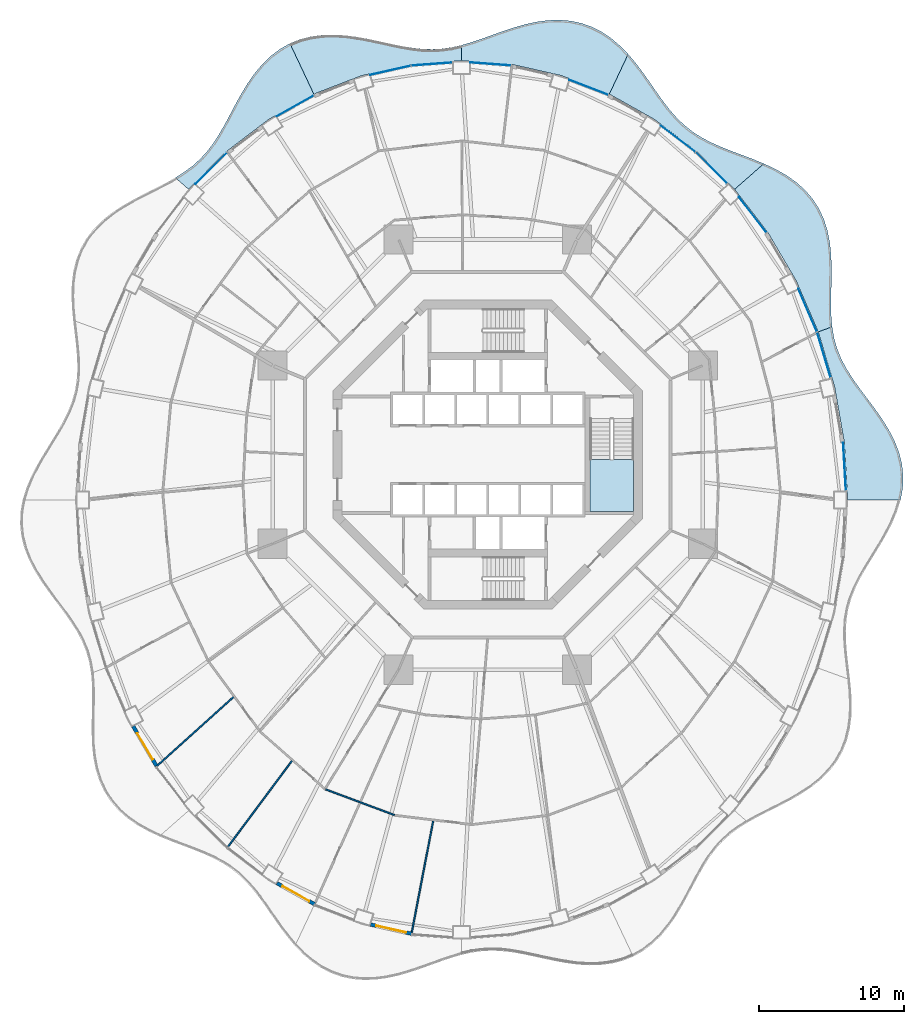
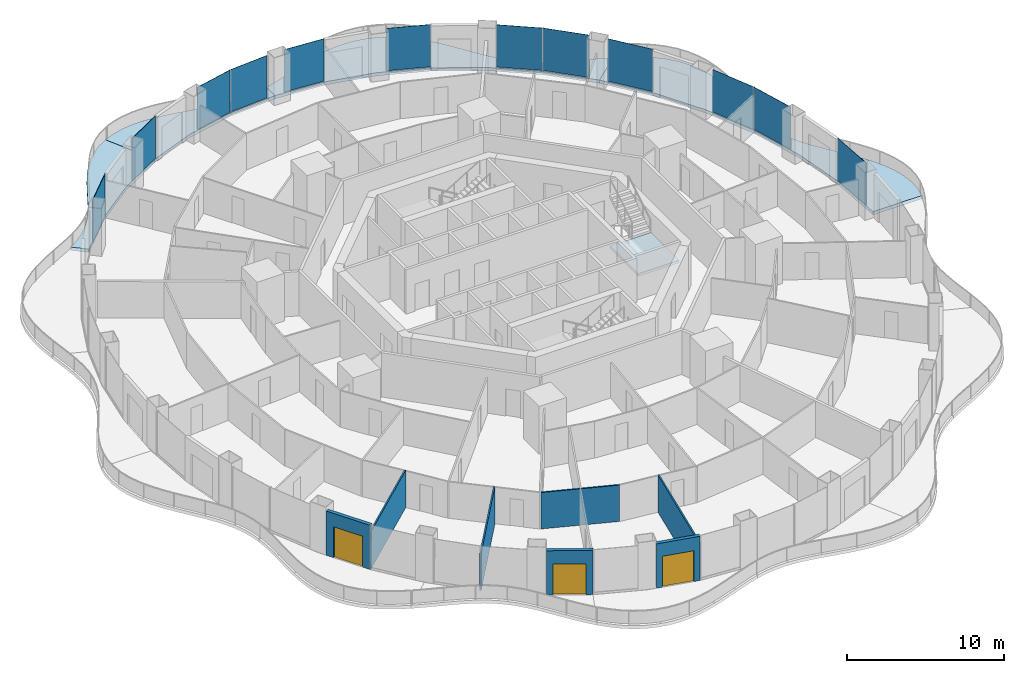
# One storey, part 11 of 20: 12 plates, 7 slabs, 7 walls, 3 doors, 3 openings, 13 elements without a shape of their own.
"""IFC4 building model written with IfcOpenShell, lengths in metres."""

from ifc_helpers import new_model, si_unit, direction, frame, frame_2d, origin, origin_2d, place, context, subcontext, project, spatial, polyline, rectangle, outline, extrude, material, layer, layer_set, type_object, element, fill, aggregate, save


model = new_model("IFC4")

# Units and contexts
model_context = context("Model", 3, precision=1e-05, world=origin(), true_north=direction((0.0, 1.0)))
body_context = subcontext(model_context, "Body", "Model", "MODEL_VIEW")
ifc_project = project(units=[si_unit("LENGTHUNIT", "METRE"), si_unit("AREAUNIT", "SQUARE_METRE"), si_unit("VOLUMEUNIT", "CUBIC_METRE"), si_unit("PLANEANGLEUNIT", "RADIAN"), si_unit("MASSUNIT", "GRAM", prefix="KILO")], contexts=[model_context])

# Site, building, storey
site_placement = place(None, origin())
site = spatial("IfcSite", under=ifc_project, at=site_placement, CompositionType="ELEMENT")
building_placement = place(site_placement, origin())
building = spatial("IfcBuilding", under=site, at=building_placement, Name="Nagisa Residences", CompositionType="ELEMENT")
storey_placement = place(building_placement, frame((0.0, 0.0, 123.300048828125)))
storey = spatial("IfcBuildingStorey", under=building, at=storey_placement, Name="L30", CompositionType="ELEMENT", Elevation=123.300048828125)

# Slabs
ifc_material_1 = material(Name="Concrete C40/50", Category="concrete")
ifc_layer_1 = layer(ifc_material_1, 0.25)
ifc_layer_set_1 = layer_set([ifc_layer_1], Name="BALCONY SLAB 250")
slab_type_1 = type_object("IfcSlabType", Name="BALCONY SLAB 250", PredefinedType="FLOOR", material=ifc_layer_set_1)
slab_1_placement = place(storey_placement, frame((0.0, 0.0, -0.25)))
element("IfcSlab", 1, at=slab_1_placement, inside=storey, type_object=slab_type_1, Name="slab:L30:bal00", PredefinedType="FLOOR", context=body_context, shape_type="SweptSolid", body=[
    extrude(outline(polyline([(28.370849609375, -3.11767578125), (28.51708984375, -2.299560546875), (28.549560546875, -1.479248046875), (28.4638671875, -0.66357421875), (28.263671875, 0.140869140625), (27.95849609375, 0.928466796875), (27.564697265625, 1.6953125), (27.102783203125, 2.43896484375), (26.597412109375, 3.160400390625), (26.074462890625, 3.86181640625), (25.559814453125, 4.54833984375), (25.077392578125, 5.226806640625), (24.6474609375, 5.9052734375), (24.285400390625, 6.592529296875), (24.000732421875, 7.296875), (23.795654296875, 8.025390625), (23.66650390625, 8.78369140625), (22.715087890625, 8.4375), (23.830810546875, 4.697265625), (24.508056640625, 0.823486328125), (24.735107421875, -3.11767578125), (28.370849609375, -3.11767578125)])), origin(), (0.0, 0.0, 1.0), 0.25),
])
slab_2_placement = place(storey_placement, frame((0.0, 0.0, -0.25)))
element("IfcSlab", 2, at=slab_2_placement, inside=storey, type_object=slab_type_1, Name="slab:L30:bal01", PredefinedType="FLOOR", context=body_context, shape_type="SweptSolid", body=[
    extrude(outline(polyline([(23.66650390625, 8.78369140625), (23.603515625, 9.54931640625), (23.587646484375, 10.344970703125), (23.60009765625, 11.167236328125), (23.620361328125, 12.010498046875), (23.625732421875, 12.86572265625), (23.5947265625, 13.721923828125), (23.50732421875, 14.56689453125), (23.3466796875, 15.38720703125), (23.10009765625, 16.170654296875), (22.759765625, 16.9052734375), (22.323486328125, 17.581787109375), (21.794189453125, 18.193603515625), (21.180419921875, 18.73828125), (20.49462890625, 19.216796875), (19.752685546875, 19.63427734375), (18.97314453125, 19.999755859375), (16.963134765625, 18.2333984375), (19.251708984375, 15.263916015625), (21.179931640625, 11.979736328125), (22.715087890625, 8.4375), (23.66650390625, 8.78369140625)])), origin(), (0.0, 0.0, 1.0), 0.25),
])
slab_3_placement = place(storey_placement, frame((0.0, 0.0, -0.25)))
element("IfcSlab", 3, at=slab_3_placement, inside=storey, type_object=slab_type_1, Name="slab:L30:bal02", PredefinedType="FLOOR", context=body_context, shape_type="SweptSolid", body=[
    extrude(outline(polyline([(18.97314453125, 19.999755859375), (18.212646484375, 20.311279296875), (17.45166015625, 20.599609375), (16.705322265625, 20.879638671875), (15.98583984375, 21.165771484375), (15.30322265625, 21.47265625), (14.66357421875, 21.813232421875), (14.06884765625, 22.19775390625), (13.51806640625, 22.6337890625), (13.005615234375, 23.12451171875), (12.524169921875, 23.66943359375), (12.06298828125, 24.26318359375), (11.610595703125, 24.896728515625), (11.154296875, 25.556640625), (10.68212890625, 26.22705078125), (10.18310546875, 26.8896484375), (9.648681640625, 27.524658203125), (8.3544921875, 24.77880859375), (11.467529296875, 23.031982421875), (14.353515625, 20.837646484375), (16.963134765625, 18.2333984375), (18.97314453125, 19.999755859375)])), origin(), (0.0, 0.0, 1.0), 0.25),
])
slab_4_placement = place(storey_placement, frame((0.0, 0.0, -0.25)))
element("IfcSlab", 4, at=slab_4_placement, inside=storey, type_object=slab_type_1, Name="slab:L30:bal03", PredefinedType="FLOOR", context=body_context, shape_type="SweptSolid", body=[
    extrude(outline(polyline([(9.648681640625, 27.524658203125), (9.093994140625, 28.093017578125), (8.497314453125, 28.6015625), (7.858154296875, 29.036376953125), (7.178466796875, 29.38623046875), (6.462890625, 29.643798828125), (5.717529296875, 29.8056640625), (4.949951171875, 29.87255859375), (4.1689453125, 29.85009765625), (3.382568359375, 29.748046875), (2.5986328125, 29.579345703125), (1.82421875, 29.35986328125), (1.064453125, 29.10791015625), (0.322021484375, 28.84228515625), (-0.40185546875, 28.58154296875), (-1.108154296875, 28.343017578125), (-1.800048828125, 28.1416015625), (-1.800048828125, 27.077392578125), (1.66357421875, 26.819091796875), (5.06787109375, 26.04833984375), (8.3544921875, 24.77880859375), (9.648681640625, 27.524658203125)])), origin(), (0.0, 0.0, 1.0), 0.25),
])
slab_5_placement = place(storey_placement, frame((0.0, 0.0, -0.25)))
element("IfcSlab", 5, at=slab_5_placement, inside=storey, type_object=slab_type_1, Name="slab:L30:bal04", PredefinedType="FLOOR", context=body_context, shape_type="SweptSolid", body=[
    extrude(outline(polyline([(-1.800048828125, 28.1416015625), (-2.48193359375, 27.9892578125), (-3.159423828125, 27.893798828125), (-3.8388671875, 27.858642578125), (-4.526123046875, 27.882568359375), (-5.2265625, 27.960205078125), (-5.9443359375, 28.081787109375), (-6.681884765625, 28.234130859375), (-7.439208984375, 28.4013671875), (-8.21435546875, 28.5654296875), (-9.003173828125, 28.708251953125), (-9.7998046875, 28.811767578125), (-10.595947265625, 28.859375), (-11.383056640625, 28.837158203125), (-12.151611328125, 28.734130859375), (-12.891845703125, 28.543212890625), (-13.595947265625, 28.26123046875), (-11.95458984375, 24.77880859375), (-8.667724609375, 26.04833984375), (-5.263427734375, 26.819091796875), (-1.800048828125, 27.077392578125), (-1.800048828125, 28.1416015625)])), origin(), (0.0, 0.0, 1.0), 0.25),
])
slab_6_placement = place(storey_placement, frame((0.0, 0.0, -0.25)))
element("IfcSlab", 6, at=slab_6_placement, inside=storey, type_object=slab_type_1, Name="slab:L30:bal05", PredefinedType="FLOOR", context=body_context, shape_type="SweptSolid", body=[
    extrude(outline(polyline([(-13.595947265625, 28.26123046875), (-14.280517578125, 27.873779296875), (-14.912841796875, 27.39599609375), (-15.49072265625, 26.837646484375), (-16.0146484375, 26.213134765625), (-16.489013671875, 25.538330078125), (-16.9208984375, 24.831787109375), (-17.320556640625, 24.111328125), (-17.69970703125, 23.39501953125), (-18.072265625, 22.698486328125), (-18.45166015625, 22.03515625), (-18.8515625, 21.414794921875), (-19.283935546875, 20.843505859375), (-19.757568359375, 20.3232421875), (-20.279296875, 19.852294921875), (-20.851318359375, 19.4248046875), (-21.47216796875, 19.0322265625), (-20.56298828125, 18.2333984375), (-17.953369140625, 20.837646484375), (-15.0673828125, 23.031982421875), (-11.95458984375, 24.77880859375), (-13.595947265625, 28.26123046875)])), origin(), (0.0, 0.0, 1.0), 0.25),
])

# Curtain wall, plate
ifc_material_2 = material(Name="Concrete-coloured aluminium curtain wall system", Category="concrete")
ifc_layer_2 = layer(ifc_material_2, 0.159912109375)
ifc_layer_set_2 = layer_set([ifc_layer_2], Name="CW1 CURTAIN WALL")
curtain_wall_type = type_object("IfcCurtainWallType", Name="CW1 CURTAIN WALL", PredefinedType="NOTDEFINED", material=ifc_layer_set_2)
curtain_wall_1_placement = place(storey_placement, origin())
curtain_wall_1 = element("IfcCurtainWall", 7, at=curtain_wall_1_placement, inside=storey, type_object=curtain_wall_type, Name="cw:CW1:L30:00", PredefinedType="NOTDEFINED")
ifc_material_3 = material(Name="Clear laminated glass", Category="glass")
ifc_layer_3 = layer(ifc_material_3, 0.028076171875)
ifc_layer_set_3 = layer_set([ifc_layer_3], Name="CW1 GLASS PANEL")
plate_type = type_object("IfcPlateType", Name="CW1 GLASS PANEL", PredefinedType="CURTAIN_PANEL", material=ifc_layer_set_3)
plate_1_placement = place(storey_placement, frame((24.522705078125, -0.822265625, 0.14990234375), z_axis=(0.0, 0.0, 1.0), x_axis=(-0.057503492216, 0.998345305184, 0.0)))
plate_1 = element("IfcPlate", 8, at=plate_1_placement, type_object=plate_type, Name="CW1 panel", PredefinedType="CURTAIN_PANEL", context=body_context, shape_type="SweptSolid", body=[
    extrude(rectangle(XDim=3.287841796875, YDim=0.028076171875, at=origin_2d()), origin(), (0.0, 0.0, 1.0), 3.2900390625),
])
aggregate(curtain_wall_1, [plate_1])

curtain_wall_2_placement = place(storey_placement, origin())
curtain_wall_2 = element("IfcCurtainWall", 9, at=curtain_wall_2_placement, inside=storey, type_object=curtain_wall_type, Name="cw:CW1:L30:02", PredefinedType="NOTDEFINED")
plate_2_placement = place(storey_placement, frame((23.10205078125, 6.86083984375, 0.14990234375), z_axis=(0.0, 0.0, 1.0), x_axis=(-0.285860274038, 0.958271310082, 0.0)))
plate_2 = element("IfcPlate", 10, at=plate_2_placement, type_object=plate_type, Name="CW1 panel", PredefinedType="CURTAIN_PANEL", context=body_context, shape_type="SweptSolid", body=[
    extrude(rectangle(XDim=3.242919921875, YDim=0.028076171875, at=origin_2d()), origin(), (0.0, 0.0, 1.0), 3.2900390625),
])
aggregate(curtain_wall_2, [plate_2])

curtain_wall_3_placement = place(storey_placement, origin())
curtain_wall_3 = element("IfcCurtainWall", 11, at=curtain_wall_3_placement, inside=storey, type_object=curtain_wall_type, Name="cw:CW1:L30:03", PredefinedType="NOTDEFINED")
plate_3_placement = place(storey_placement, frame((21.9814453125, 9.928955078125, 0.14990234375), z_axis=(0.0, 0.0, 1.0), x_axis=(-0.397635934147, 0.917543276295, 0.0)))
plate_3 = element("IfcPlate", 12, at=plate_3_placement, type_object=plate_type, Name="CW1 panel", PredefinedType="CURTAIN_PANEL", context=body_context, shape_type="SweptSolid", body=[
    extrude(rectangle(XDim=3.20068359375, YDim=0.028076171875, at=origin_2d()), origin(), (0.0, 0.0, 1.0), 3.2900390625),
])
aggregate(curtain_wall_3, [plate_3])

curtain_wall_4_placement = place(storey_placement, origin())
curtain_wall_4 = element("IfcCurtainWall", 13, at=curtain_wall_4_placement, inside=storey, type_object=curtain_wall_type, Name="cw:CW1:L30:05", PredefinedType="NOTDEFINED")
plate_4_placement = place(storey_placement, frame((18.208740234375, 16.48583984375, 0.14990234375), z_axis=(0.0, 0.0, 1.0), x_axis=(-0.610429828235, 0.792070340816, 0.0)))
plate_4 = element("IfcPlate", 14, at=plate_4_placement, type_object=plate_type, Name="CW1 panel", PredefinedType="CURTAIN_PANEL", context=body_context, shape_type="SweptSolid", body=[
    extrude(rectangle(XDim=3.089111328125, YDim=0.028076171875, at=origin_2d()), origin(), (0.0, 0.0, 1.0), 3.2900390625),
])
aggregate(curtain_wall_4, [plate_4])

curtain_wall_5_placement = place(storey_placement, origin())
curtain_wall_5 = element("IfcCurtainWall", 15, at=curtain_wall_5_placement, inside=storey, type_object=curtain_wall_type, Name="cw:CW1:L30:06", PredefinedType="NOTDEFINED")
plate_5_placement = place(storey_placement, frame((15.3681640625, 19.7119140625, 0.14990234375), z_axis=(0.0, 0.0, 1.0), x_axis=(-0.707835924016, 0.706376885714, 0.0)))
plate_5 = element("IfcPlate", 16, at=plate_5_placement, type_object=plate_type, Name="CW1 panel", PredefinedType="CURTAIN_PANEL", context=body_context, shape_type="SweptSolid", body=[
    extrude(rectangle(XDim=3.026611328125, YDim=0.028076171875, at=origin_2d()), origin(), (0.0, 0.0, 1.0), 3.2900390625),
])
aggregate(curtain_wall_5, [plate_5])

curtain_wall_6_placement = place(storey_placement, origin())
curtain_wall_6 = element("IfcCurtainWall", 17, at=curtain_wall_6_placement, inside=storey, type_object=curtain_wall_type, Name="cw:CW1:L30:07", PredefinedType="NOTDEFINED")
plate_6_placement = place(storey_placement, frame((13.076904296875, 21.707763671875, 0.14990234375), z_axis=(0.0, 0.0, 1.0), x_axis=(-0.79603132756, 0.605255421737, 0.0)))
plate_6 = element("IfcPlate", 18, at=plate_6_placement, type_object=plate_type, Name="CW1 panel", PredefinedType="CURTAIN_PANEL", context=body_context, shape_type="SweptSolid", body=[
    extrude(rectangle(XDim=2.965576171875, YDim=0.028076171875, at=origin_2d()), origin(), (0.0, 0.0, 1.0), 3.2900390625),
])
aggregate(curtain_wall_6, [plate_6])

curtain_wall_7_placement = place(storey_placement, origin())
curtain_wall_7 = element("IfcCurtainWall", 19, at=curtain_wall_7_placement, inside=storey, type_object=curtain_wall_type, Name="cw:CW1:L30:09", PredefinedType="NOTDEFINED")
plate_7_placement = place(storey_placement, frame((6.93408203125, 25.24169921875, 0.14990234375), z_axis=(0.0, 0.0, 1.0), x_axis=(-0.932825759707, 0.360327770268, 0.0)))
plate_7 = element("IfcPlate", 20, at=plate_7_placement, type_object=plate_type, Name="CW1 panel", PredefinedType="CURTAIN_PANEL", context=body_context, shape_type="SweptSolid", body=[
    extrude(rectangle(XDim=2.863525390625, YDim=0.028076171875, at=origin_2d()), origin(), (0.0, 0.0, 1.0), 3.2900390625),
])
aggregate(curtain_wall_7, [plate_7])

curtain_wall_8_placement = place(storey_placement, origin())
curtain_wall_8 = element("IfcCurtainWall", 21, at=curtain_wall_8_placement, inside=storey, type_object=curtain_wall_type, Name="cw:CW1:L30:11", PredefinedType="NOTDEFINED")
plate_8_placement = place(storey_placement, frame((0.195068359375, 26.848388671875, 0.14990234375), z_axis=(0.0, 0.0, 1.0), x_axis=(-0.997230168512, 0.074377355493, 0.0)))
plate_8 = element("IfcPlate", 22, at=plate_8_placement, type_object=plate_type, Name="CW1 panel", PredefinedType="CURTAIN_PANEL", context=body_context, shape_type="SweptSolid", body=[
    extrude(rectangle(XDim=2.813232421875, YDim=0.028076171875, at=origin_2d()), origin(), (0.0, 0.0, 1.0), 3.2900390625),
])
aggregate(curtain_wall_8, [plate_8])

curtain_wall_9_placement = place(storey_placement, origin())
curtain_wall_9 = element("IfcCurtainWall", 23, at=curtain_wall_9_placement, inside=storey, type_object=curtain_wall_type, Name="cw:CW1:L30:12", PredefinedType="NOTDEFINED")
plate_9_placement = place(storey_placement, frame((-3.85498046875, 26.84375, 0.14990234375), z_axis=(0.0, 0.0, 1.0), x_axis=(-0.997230168512, -0.074377355493, 0.0)))
plate_9 = element("IfcPlate", 24, at=plate_9_placement, type_object=plate_type, Name="CW1 panel", PredefinedType="CURTAIN_PANEL", context=body_context, shape_type="SweptSolid", body=[
    extrude(rectangle(XDim=2.813232421875, YDim=0.028076171875, at=origin_2d()), origin(), (0.0, 0.0, 1.0), 3.2900390625),
])
aggregate(curtain_wall_9, [plate_9])

curtain_wall_10_placement = place(storey_placement, origin())
curtain_wall_10 = element("IfcCurtainWall", 25, at=curtain_wall_10_placement, inside=storey, type_object=curtain_wall_type, Name="cw:CW1:L30:13", PredefinedType="NOTDEFINED")
plate_10_placement = place(storey_placement, frame((-6.6845703125, 26.415283203125, 0.14990234375), z_axis=(0.0, 0.0, 1.0), x_axis=(-0.975327274089, -0.2207639201, 0.0)))
plate_10 = element("IfcPlate", 26, at=plate_10_placement, type_object=plate_type, Name="CW1 panel", PredefinedType="CURTAIN_PANEL", context=body_context, shape_type="SweptSolid", body=[
    extrude(rectangle(XDim=2.830322265625, YDim=0.028076171875, at=origin_2d()), origin(), (0.0, 0.0, 1.0), 3.2900390625),
])
aggregate(curtain_wall_10, [plate_10])

curtain_wall_11_placement = place(storey_placement, origin())
curtain_wall_11 = element("IfcCurtainWall", 27, at=curtain_wall_11_placement, inside=storey, type_object=curtain_wall_type, Name="cw:CW1:L30:15", PredefinedType="NOTDEFINED")
plate_11_placement = place(storey_placement, frame((-13.236328125, 23.9677734375, 0.14990234375), z_axis=(0.0, 0.0, 1.0), x_axis=(-0.872072377523, -0.489376918501, 0.0)))
plate_11 = element("IfcPlate", 28, at=plate_11_placement, type_object=plate_type, Name="CW1 panel", PredefinedType="CURTAIN_PANEL", context=body_context, shape_type="SweptSolid", body=[
    extrude(rectangle(XDim=2.90966796875, YDim=0.028076171875, at=origin_2d()), origin(), (0.0, 0.0, 1.0), 3.2900390625),
])
aggregate(curtain_wall_11, [plate_11])

curtain_wall_12_placement = place(storey_placement, origin())
curtain_wall_12 = element("IfcCurtainWall", 29, at=curtain_wall_12_placement, inside=storey, type_object=curtain_wall_type, Name="cw:CW1:L30:17", PredefinedType="NOTDEFINED")
plate_12_placement = place(storey_placement, frame((-19.0107421875, 19.669677734375, 0.14990234375), z_axis=(0.0, 0.0, 1.0), x_axis=(-0.707835924016, -0.706376885714, 0.0)))
plate_12 = element("IfcPlate", 30, at=plate_12_placement, type_object=plate_type, Name="CW1 panel", PredefinedType="CURTAIN_PANEL", context=body_context, shape_type="SweptSolid", body=[
    extrude(rectangle(XDim=3.026611328125, YDim=0.028076171875, at=origin_2d()), origin(), (0.0, 0.0, 1.0), 3.2900390625),
])
aggregate(curtain_wall_12, [plate_12])

# Stair, slab
ifc_material_4 = material(Name="Concrete C60", Category="concrete")
stair_type = type_object("IfcStairType", Name="Exit stair", PredefinedType="HALF_TURN_STAIR", material=ifc_material_4)
stair_placement = place(storey_placement, origin())
stair = element("IfcStair", 31, at=stair_placement, inside=storey, type_object=stair_type, Name="L30 Exit stair E", PredefinedType="HALF_TURN_STAIR")
ifc_material_5 = material(Name="Concrete C60", Category="concrete")
ifc_layer_4 = layer(ifc_material_5, 0.199951171875)
ifc_layer_set_4 = layer_set([ifc_layer_4], Name="Stair landing")
slab_type_2 = type_object("IfcSlabType", Name="Stair landing", PredefinedType="LANDING", material=ifc_layer_set_4)
slab_7_placement = place(storey_placement, frame((0.0, 0.0, 1.64990234375)))
slab_7 = element("IfcSlab", 32, at=slab_7_placement, type_object=slab_type_2, Name="ST-E landing 1", PredefinedType="LANDING", context=body_context, shape_type="SweptSolid", body=[
    extrude(outline(polyline([(7.024658203125, -0.324951171875), (7.024658203125, -3.89990234375), (10.024658203125, -3.89990234375), (10.024658203125, -0.324951171875), (7.024658203125, -0.324951171875)])), origin(), (0.0, 0.0, 1.0), 0.199951171875),
])
aggregate(stair, [slab_7])

# Walls
ifc_material_6 = material(Name="Gypsum board on steel studs", Category="steel")
ifc_layer_5 = layer(ifc_material_6, 0.10009765625)
ifc_layer_set_5 = layer_set([ifc_layer_5], Name="Apartment partition 100")
wall_type_1 = type_object("IfcWallType", Name="Apartment partition 100", PredefinedType="PARTITIONING", material=ifc_layer_set_5)
wall_1_placement = place(storey_placement, frame((-17.4697265625, -16.6416015625, 0.0), z_axis=(0.0, 0.0, 1.0), x_axis=(-0.742345465337, -0.670017320742, 0.0)))
element("IfcWall", 33, at=wall_1_placement, inside=storey, type_object=wall_type_1, Name="wall:L30:u68", PredefinedType="PARTITIONING", context=body_context, shape_type="SweptSolid", body=[
    extrude(rectangle(XDim=7.2099609375, YDim=0.10009765625, at=frame_2d((3.60498046875, 0.0))), origin(), (0.0, 0.0, 1.0), 2.905029296875),
])
wall_2_placement = place(storey_placement, frame((-13.4541015625, -21.0400390625, 0.0), z_axis=(0.0, 0.0, 1.0), x_axis=(-0.597848033124, -0.801609461826, 0.0)))
element("IfcWall", 34, at=wall_2_placement, inside=storey, type_object=wall_type_1, Name="wall:L30:u71", PredefinedType="PARTITIONING", context=body_context, shape_type="SweptSolid", body=[
    extrude(rectangle(XDim=7.486083984375, YDim=0.10009765625, at=frame_2d((3.7431640625, 0.0))), origin(), (0.0, 0.0, 1.0), 2.905029296875),
])
wall_3_placement = place(storey_placement, frame((-11.142578125, -23.00439453125, 0.0), z_axis=(0.0, 0.0, 1.0), x_axis=(0.936721765635, -0.350074754567, 0.0)))
element("IfcWall", 35, at=wall_3_placement, inside=storey, type_object=wall_type_1, Name="wall:L30:u75", PredefinedType="PARTITIONING", context=body_context, shape_type="SweptSolid", body=[
    extrude(rectangle(XDim=5.052734375, YDim=0.10009765625, at=frame_2d((2.5263671875, 0.0))), origin(), (0.0, 0.0, 1.0), 2.827880859375),
])
wall_4_placement = place(storey_placement, frame((-3.748779296875, -25.15869140625, 0.0), z_axis=(0.0, 0.0, 1.0), x_axis=(-0.188392334675, -0.982093848996, 0.0)))
element("IfcWall", 36, at=wall_4_placement, inside=storey, type_object=wall_type_1, Name="wall:L30:u79", PredefinedType="PARTITIONING", context=body_context, shape_type="SweptSolid", body=[
    extrude(rectangle(XDim=7.999755859375, YDim=0.10009765625, at=frame_2d((4.0, 0.0))), origin(), (0.0, 0.0, 1.0), 2.905029296875),
])

# Wall, opening, door
ifc_material_7 = material(Name="Precast concrete C40/50", Category="concrete")
ifc_layer_6 = layer(ifc_material_7, 0.25)
ifc_layer_set_6 = layer_set([ifc_layer_6], Name="BALCONY DOOR WALL 250")
wall_type_2 = type_object("IfcWallType", Name="BALCONY DOOR WALL 250", PredefinedType="SOLIDWALL", material=ifc_layer_set_6)
wall_5_placement = place(storey_placement, frame((-22.743896484375, -21.43603515625, 0.0), z_axis=(0.0, 0.0, 1.0), x_axis=(-0.506314982873, 0.862348617508, 0.0)))
wall_5 = element("IfcWall", 37, at=wall_5_placement, inside=storey, type_object=wall_type_2, Name="wall:L30:bay28", PredefinedType="SOLIDWALL", context=body_context, shape_type="SweptSolid", body=[
    extrude(rectangle(XDim=3.20849609375, YDim=0.25, at=frame_2d((1.604248046875, 0.0))), origin(), (0.0, 0.0, 1.0), 3.43994140625),
])
opening_1_placement = place(wall_5_placement, frame((0.55419921875, 0.0, 0.0)))
opening_1 = element("IfcOpeningElement", 38, at=opening_1_placement, cuts=wall_5, Name="Opening BD-L30-10", PredefinedType="OPENING", context=body_context, shape_type="SweptSolid", body=[
    extrude(rectangle(XDim=2.10009765625, YDim=2.39990234375, at=frame_2d((1.050048828125, 1.199951171875))), frame((0.0, 0.135009765625, 0.0), z_axis=(0.0, -1.0, 0.0), x_axis=(1.0, 0.0, 0.0)), (0.0, 0.0, 1.0), 0.27001953125),
])
ifc_material_8 = material(Name="Aluminium and clear glass", Category="aluminium")
door_type = type_object("IfcDoorType", Name="BALCONY SLIDING DOOR 2100x2400", OperationType="SLIDING_TO_LEFT", PredefinedType="DOOR", material=ifc_material_8)
door_1_placement = place(opening_1_placement, origin())
door_1 = element("IfcDoor", 39, at=door_1_placement, inside=storey, type_object=door_type, Name="door:L30:bay28", OperationType="SLIDING_TO_LEFT", OverallHeight=2.39990234375, OverallWidth=2.10009765625, PredefinedType="DOOR", context=body_context, shape_type="SweptSolid", body=[
    extrude(rectangle(XDim=2.10009765625, YDim=2.39990234375, at=frame_2d((1.050048828125, 1.199951171875))), frame((0.0, 0.02490234375, 0.0), z_axis=(0.0, -1.0, 0.0), x_axis=(1.0, 0.0, 0.0)), (0.0, 0.0, 1.0), 0.050048828125),
])
fill(opening_1, door_1)

wall_6_placement = place(storey_placement, frame((-11.893310546875, -30.9052734375, 0.0), z_axis=(0.0, 0.0, 1.0), x_axis=(-0.87206688547, 0.489386705241, 0.0)))
wall_6 = element("IfcWall", 40, at=wall_6_placement, inside=storey, type_object=wall_type_2, Name="wall:L30:bay32", PredefinedType="SOLIDWALL", context=body_context, shape_type="SweptSolid", body=[
    extrude(rectangle(XDim=2.9697265625, YDim=0.25, at=frame_2d((1.48486328125, 0.0))), origin(), (0.0, 0.0, 1.0), 3.43994140625),
])
opening_2_placement = place(wall_6_placement, frame((0.434814453125, 0.0, 0.0)))
opening_2 = element("IfcOpeningElement", 41, at=opening_2_placement, cuts=wall_6, Name="Opening BD-L30-11", PredefinedType="OPENING", context=body_context, shape_type="SweptSolid", body=[
    extrude(rectangle(XDim=2.10009765625, YDim=2.39990234375, at=frame_2d((1.050048828125, 1.199951171875))), frame((0.0, 0.135009765625, 0.0), z_axis=(0.0, -1.0, 0.0), x_axis=(1.0, 0.0, 0.0)), (0.0, 0.0, 1.0), 0.27001953125),
])
door_2_placement = place(opening_2_placement, origin())
door_2 = element("IfcDoor", 42, at=door_2_placement, inside=storey, type_object=door_type, Name="door:L30:bay32", OperationType="SLIDING_TO_LEFT", OverallHeight=2.39990234375, OverallWidth=2.10009765625, PredefinedType="DOOR", context=body_context, shape_type="SweptSolid", body=[
    extrude(rectangle(XDim=2.10009765625, YDim=2.39990234375, at=frame_2d((1.050048828125, 1.199951171875))), frame((0.0, 0.02490234375, 0.0), z_axis=(0.0, -1.0, 0.0), x_axis=(1.0, 0.0, 0.0)), (0.0, 0.0, 1.0), 0.050048828125),
])
fill(opening_2, door_2)

wall_7_placement = place(storey_placement, frame((-5.23583984375, -32.932373046875, 0.0), z_axis=(0.0, 0.0, 1.0), x_axis=(-0.975339035722, 0.220711951186, 0.0)))
wall_7 = element("IfcWall", 43, at=wall_7_placement, inside=storey, type_object=wall_type_2, Name="wall:L30:bay34", PredefinedType="SOLIDWALL", context=body_context, shape_type="SweptSolid", body=[
    extrude(rectangle(XDim=2.890380859375, YDim=0.25, at=frame_2d((1.4453125, 0.0))), origin(), (0.0, 0.0, 1.0), 3.43994140625),
])
opening_3_placement = place(wall_7_placement, frame((0.395263671875, 0.0, 0.0)))
opening_3 = element("IfcOpeningElement", 44, at=opening_3_placement, cuts=wall_7, Name="Opening BD-L30-12", PredefinedType="OPENING", context=body_context, shape_type="SweptSolid", body=[
    extrude(rectangle(XDim=2.10009765625, YDim=2.39990234375, at=frame_2d((1.050048828125, 1.199951171875))), frame((0.0, 0.135009765625, 0.0), z_axis=(0.0, -1.0, 0.0), x_axis=(1.0, 0.0, 0.0)), (0.0, 0.0, 1.0), 0.27001953125),
])
door_3_placement = place(opening_3_placement, origin())
door_3 = element("IfcDoor", 45, at=door_3_placement, inside=storey, type_object=door_type, Name="door:L30:bay34", OperationType="SLIDING_TO_LEFT", OverallHeight=2.39990234375, OverallWidth=2.10009765625, PredefinedType="DOOR", context=body_context, shape_type="SweptSolid", body=[
    extrude(rectangle(XDim=2.10009765625, YDim=2.39990234375, at=frame_2d((1.050048828125, 1.199951171875))), frame((0.0, 0.02490234375, 0.0), z_axis=(0.0, -1.0, 0.0), x_axis=(1.0, 0.0, 0.0)), (0.0, 0.0, 1.0), 0.050048828125),
])
fill(opening_3, door_3)

save(model, "model.ifc")
